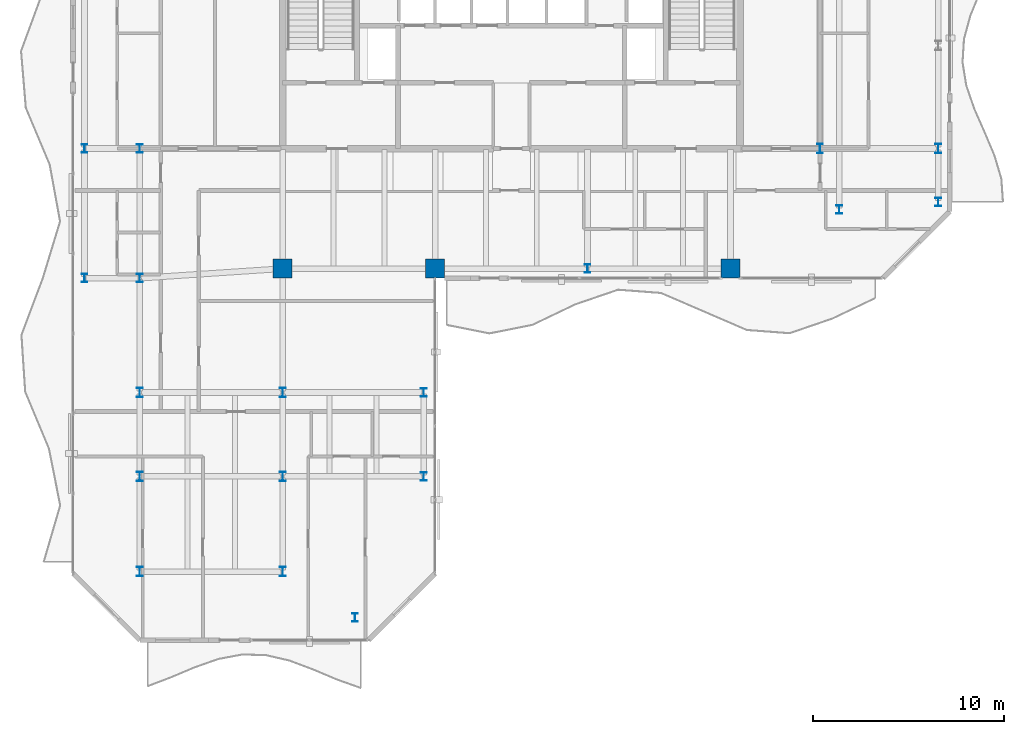
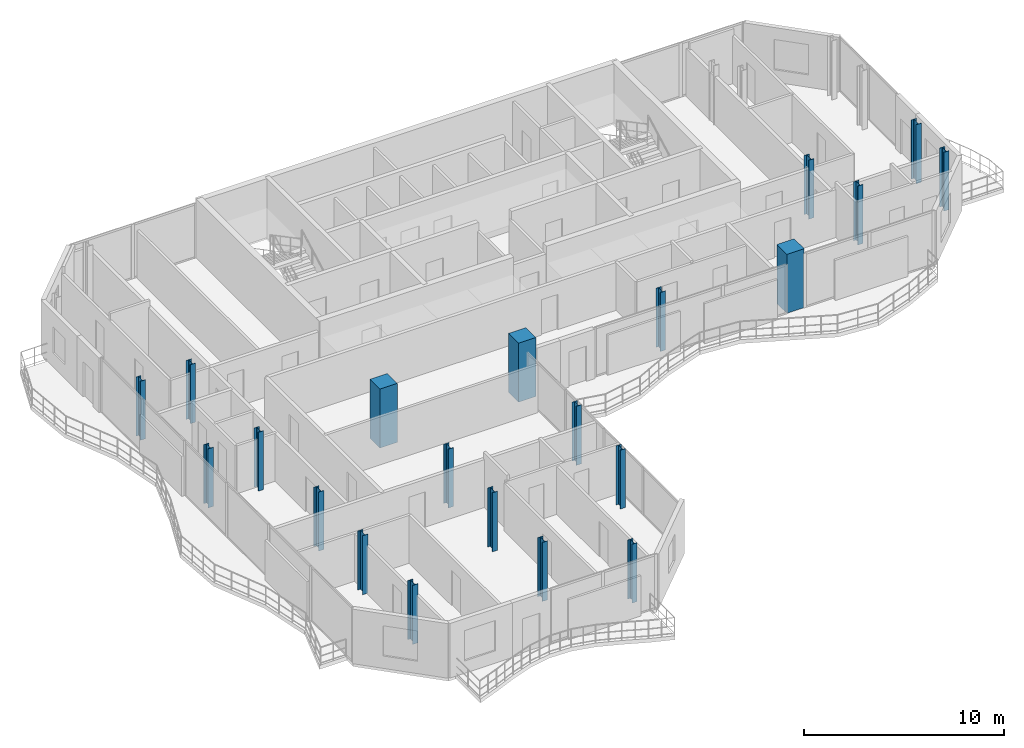
# One storey, part 1 of 23: 21 columns.
"""IFC4 building model written with IfcOpenShell, lengths in metres."""

from ifc_helpers import new_model, si_unit, direction, frame, origin, origin_2d, place, context, subcontext, project, spatial, rectangle, i_section, extrude, material, material_profile, profile_set, type_object, element, save


model = new_model("IFC4")

# Units and contexts
model_context = context("Model", 3, precision=1e-05, world=origin(), true_north=direction((0.0, 1.0)))
body_context = subcontext(model_context, "Body", "Model", "MODEL_VIEW")
ifc_project = project(units=[si_unit("LENGTHUNIT", "METRE"), si_unit("AREAUNIT", "SQUARE_METRE"), si_unit("VOLUMEUNIT", "CUBIC_METRE"), si_unit("PLANEANGLEUNIT", "RADIAN"), si_unit("MASSUNIT", "GRAM", prefix="KILO")], contexts=[model_context])

# Site, building, storey
site_placement = place(None, origin())
site = spatial("IfcSite", under=ifc_project, at=site_placement, CompositionType="ELEMENT")
building_placement = place(site_placement, origin())
building = spatial("IfcBuilding", under=site, at=building_placement, Name="Catumbela Crestline Tower", CompositionType="ELEMENT")
storey_placement = place(building_placement, frame((0.0, 0.0, 193.8)))
storey = spatial("IfcBuildingStorey", under=building, at=storey_placement, Name="L50", CompositionType="ELEMENT", Elevation=193.8)

# Columns
ifc_material_1 = material(Name="Concrete C50/60", Category="concrete")
ifc_material_profile_1 = material_profile(ifc_material_1, rectangle(XDim=1.0, YDim=1.0, at=origin_2d()), Name="RC 1000x1000")
ifc_profile_set_1 = profile_set([ifc_material_profile_1], Name="Concrete C50/60")
column_type_1 = type_object("IfcColumnType", Name="C-RC1000-C50", PredefinedType="COLUMN", material=ifc_profile_set_1)
for number, where, z_axis, x_axis, name in (
    (1, (16.0, 24.5, 0.0), (0.0, 0.0, 1.0), (1.0, 0.0, 0.0), "L50 Column C-16-24 (RC 1000x1000)"),
    (2, (24.0, 24.5, 0.0), (0.0, 0.0, 1.0), (1.0, 0.0, 0.0), "L50 Column C-24-24 (RC 1000x1000)"),
    (3, (39.5, 24.5, 0.0), (0.0, 0.0, 1.0), (1.0, 0.0, 0.0), "L50 Column C-40-24 (RC 1000x1000)"),
):
    element("IfcColumn", number, at=place(storey_placement, frame(where, z_axis=z_axis, x_axis=x_axis)), inside=storey, type_object=column_type_1, Name=name, PredefinedType="COLUMN", context=body_context, shape_type="SweptSolid", body=[
        extrude(rectangle(XDim=1.0, YDim=1.0, at=origin_2d()), origin(), (0.0, 0.0, 1.0), 3.6),
    ])
ifc_material_2 = material(Name="Structural steel S355J2", Category="steel")
ifc_material_profile_2 = material_profile(ifc_material_2, i_section(OverallWidth=0.3, OverallDepth=0.45, WebThickness=0.014, FlangeThickness=0.026, FilletRadius=0.027, at=origin_2d()), Name="HEB 450")
ifc_profile_set_2 = profile_set([ifc_material_profile_2], Name="Structural steel S355J2")
column_type_2 = type_object("IfcColumnType", Name="C-ST-HEB450", PredefinedType="COLUMN", material=ifc_profile_set_2)
for number, where, z_axis, x_axis, name in (
    (4, (8.5, 24.0, 0.0), (0.0, 0.0, 1.0), (1.0, 0.0, 0.0), "L50 Column C-08-24 (HEB 450)"),
    (5, (32.0, 24.5, 0.0), (0.0, 0.0, 1.0), (1.0, 0.0, 0.0), "L50 Column C-32-24 (HEB 450)"),
    (6, (5.6, 24.0, 0.0), (0.0, 0.0, 1.0), (1.0, 0.0, 0.0), "L50 Column C-05-24 (HEB 450)"),
    (7, (5.6, 30.8, 0.0), (0.0, 0.0, 1.0), (1.0, 0.0, 0.0), "L50 Column C-05-31 (HEB 450)"),
    (8, (8.5, 30.8, 0.0), (0.0, 0.0, 1.0), (1.0, 0.0, 0.0), "L50 Column C-08-31 (HEB 450)"),
    (9, (45.2, 27.6, 0.0), (0.0, 0.0, 1.0), (1.0, 0.0, 0.0), "L50 Column C-46-24 (HEB 450)"),
    (10, (50.4, 28.0, 0.0), (0.0, 0.0, 1.0), (1.0, 0.0, 0.0), "L50 Column C-51-24 (HEB 450)"),
    (11, (19.8, 6.2, 0.0), (0.0, 0.0, 1.0), (1.0, 0.0, 0.0), "L50 Column C-24-05 (HEB 450)"),
    (12, (23.4, 13.6, 0.0), (0.0, 0.0, 1.0), (1.0, 0.0, 0.0), "L50 Column C-24-10 (HEB 450)"),
    (13, (23.4, 18.0, 0.0), (0.0, 0.0, 1.0), (1.0, 0.0, 0.0), "L50 Column C-24-16 (HEB 450)"),
):
    element("IfcColumn", number, at=place(storey_placement, frame(where, z_axis=z_axis, x_axis=x_axis)), inside=storey, type_object=column_type_2, Name=name, PredefinedType="COLUMN", context=body_context, shape_type="SweptSolid", body=[
        extrude(i_section(OverallWidth=0.3, OverallDepth=0.45, WebThickness=0.014, FlangeThickness=0.026, FilletRadius=0.027, at=origin_2d()), origin(), (0.0, 0.0, 1.0), 3.6),
    ])
ifc_material_profile_3 = material_profile(ifc_material_2, i_section(OverallWidth=0.3, OverallDepth=0.5, WebThickness=0.0145, FlangeThickness=0.028, FilletRadius=0.027, at=origin_2d()), Name="HEB 500")
ifc_profile_set_3 = profile_set([ifc_material_profile_3], Name="Structural steel S355J2")
column_type_3 = type_object("IfcColumnType", Name="C-ST-HEB500", PredefinedType="COLUMN", material=ifc_profile_set_3)
for number, where, z_axis, x_axis, name in (
    (14, (8.5, 8.6, 0.0), (0.0, 0.0, 1.0), (1.0, 0.0, 0.0), "L50 Column CT-05-05 (HEB 500)"),
    (15, (16.0, 8.6, 0.0), (0.0, 0.0, 1.0), (1.0, 0.0, 0.0), "L50 Column CT-14-05 (HEB 500)"),
    (16, (8.5, 13.6, 0.0), (0.0, 0.0, 1.0), (1.0, 0.0, 0.0), "L50 Column CT-05-10 (HEB 500)"),
    (17, (16.0, 13.6, 0.0), (0.0, 0.0, 1.0), (1.0, 0.0, 0.0), "L50 Column CT-14-10 (HEB 500)"),
    (18, (8.5, 18.0, 0.0), (0.0, 0.0, 1.0), (1.0, 0.0, 0.0), "L50 Column CT-05-16 (HEB 500)"),
    (19, (16.0, 18.0, 0.0), (0.0, 0.0, 1.0), (1.0, 0.0, 0.0), "L50 Column CT-14-16 (HEB 500)"),
    (20, (44.2, 30.8, 0.0), (0.0, 0.0, 1.0), (1.0, 0.0, 0.0), "L50 Column CT-46-31 (HEB 500)"),
    (21, (50.4, 30.8, 0.0), (0.0, 0.0, 1.0), (1.0, 0.0, 0.0), "L50 Column CT-51-31 (HEB 500)"),
):
    element("IfcColumn", number, at=place(storey_placement, frame(where, z_axis=z_axis, x_axis=x_axis)), inside=storey, type_object=column_type_3, Name=name, PredefinedType="COLUMN", context=body_context, shape_type="SweptSolid", body=[
        extrude(i_section(OverallWidth=0.3, OverallDepth=0.5, WebThickness=0.0145, FlangeThickness=0.028, FilletRadius=0.027, at=origin_2d()), origin(), (0.0, 0.0, 1.0), 3.6),
    ])

save(model, "model.ifc")
